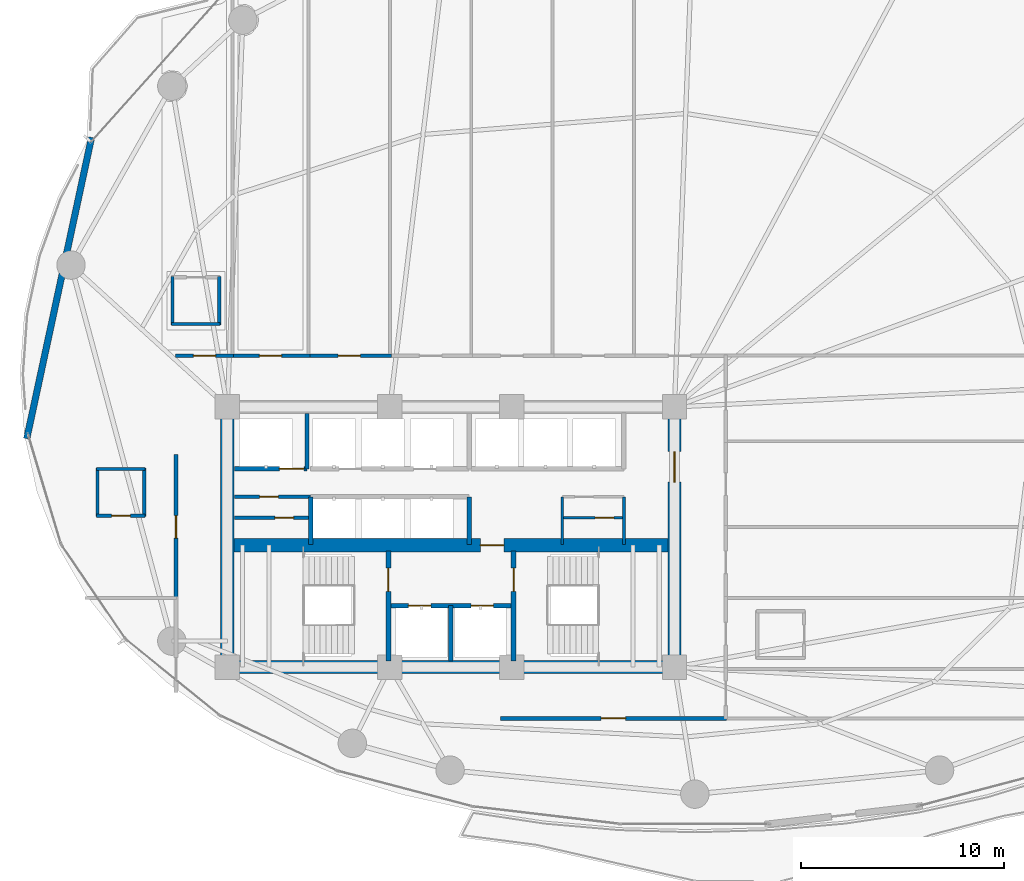
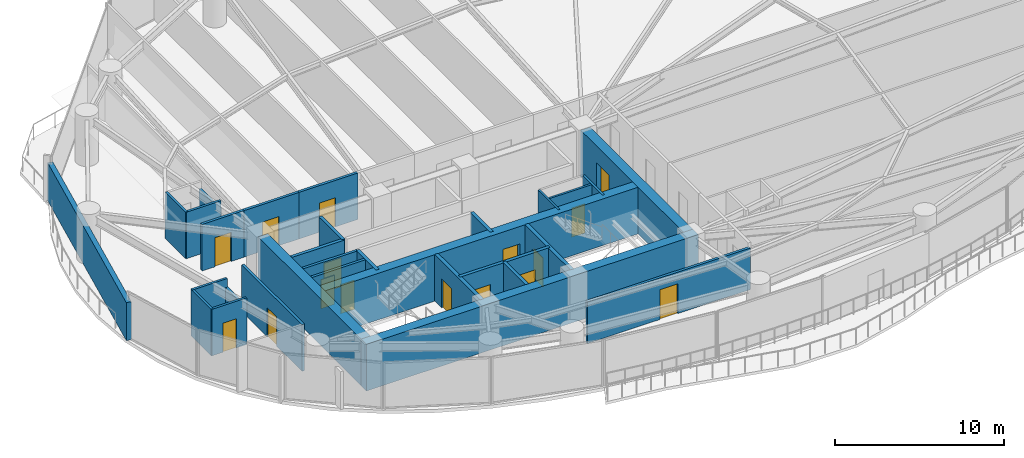
# One storey, part 26 of 32: 30 walls, 16 doors, 16 openings.
"""IFC4 building model written with IfcOpenShell, lengths in metres."""

from ifc_helpers import new_model, si_unit, direction, frame, frame_2d, origin, place, context, subcontext, project, spatial, rectangle, extrude, material, layer, layer_set, type_object, element, fill, save


model = new_model("IFC4")

# Units and contexts
model_context = context("Model", 3, precision=1e-05, world=origin(), true_north=direction((0.0, 1.0)))
body_context = subcontext(model_context, "Body", "Model", "MODEL_VIEW")
ifc_project = project(units=[si_unit("LENGTHUNIT", "METRE"), si_unit("AREAUNIT", "SQUARE_METRE"), si_unit("VOLUMEUNIT", "CUBIC_METRE"), si_unit("PLANEANGLEUNIT", "RADIAN"), si_unit("MASSUNIT", "GRAM", prefix="KILO")], contexts=[model_context])

# Site, building, storey
site_placement = place(None, origin())
site = spatial("IfcSite", under=ifc_project, at=site_placement, CompositionType="ELEMENT")
building_placement = place(site_placement, origin())
building = spatial("IfcBuilding", under=site, at=building_placement, Name="Kazevale Care Tower and Concert Hall", CompositionType="ELEMENT")
storey_placement = place(building_placement, frame((0.0, 0.0, 85.199951171875)))
storey = spatial("IfcBuildingStorey", under=building, at=storey_placement, Name="L22", CompositionType="ELEMENT", Elevation=85.199951171875)

# Walls
ifc_material_1 = material(Name="Acoustic Gypsum on Steel Stud", Category="steel")
ifc_layer_1 = layer(ifc_material_1, 0.139892578125)
ifc_layer_set_1 = layer_set([ifc_layer_1], Name="Acoustic Gypsum on Steel Stud")
wall_type_1 = type_object("IfcWallType", Name="Acoustic Care & Suite Partition 140", PredefinedType="PARTITIONING", material=ifc_layer_set_1)
for number, where, z_axis, x_axis, name in (
    (1, (38.47998046875, 29.6201171875, 0.0), (0.0, 0.0, 1.0), (0.0, 1.0, 0.0), "wall:L22:kc_ew"),
    (2, (41.52001953125, 29.6201171875, 0.0), (0.0, 0.0, 1.0), (0.0, 1.0, 0.0), "wall:L22:kc_ee"),
):
    element("IfcWall", number, at=place(storey_placement, frame(where, z_axis=z_axis, x_axis=x_axis)), inside=storey, type_object=wall_type_1, Name=name, PredefinedType="PARTITIONING", context=body_context, shape_type="SweptSolid", body=[
        extrude(rectangle(XDim=2.35986328125, YDim=0.139892578125, at=frame_2d((1.179931640625, 0.0))), origin(), (0.0, 0.0, 1.0), 3.360107421875),
    ])

# Wall, opening, door
wall_1_placement = place(storey_placement, frame((38.47998046875, 30.949951171875, 0.0), z_axis=(0.0, 0.0, 1.0), x_axis=(1.0, 0.0, 0.0)))
wall_1 = element("IfcWall", 3, at=wall_1_placement, inside=storey, type_object=wall_type_1, Name="wall:L22:kc_em", PredefinedType="PARTITIONING", context=body_context, shape_type="SweptSolid", body=[
    extrude(rectangle(XDim=3.0400390625, YDim=0.139892578125, at=frame_2d((1.52001953125, 0.0))), origin(), (0.0, 0.0, 1.0), 3.360107421875),
])
opening_1_placement = place(wall_1_placement, frame((1.616943359375, 0.0, 0.0)))
opening_1 = element("IfcOpeningElement", 4, at=opening_1_placement, cuts=wall_1, Name="Opening ID-900", PredefinedType="OPENING", context=body_context, shape_type="SweptSolid", body=[
    extrude(rectangle(XDim=0.919921875, YDim=2.10009765625, at=frame_2d((0.4599609375, 1.050048828125))), frame((0.0, 0.079833984375, 0.0), z_axis=(0.0, -1.0, 0.0), x_axis=(1.0, 0.0, 0.0)), (0.0, 0.0, 1.0), 0.159912109375),
])
ifc_material_2 = material(Name="Oak Timber Fire Leaf", Category="wood")
door_type_1 = type_object("IfcDoorType", Name="Bathroom & Service Door 920x2100", OperationType="NOTDEFINED", PredefinedType="DOOR", material=ifc_material_2)
door_1_placement = place(opening_1_placement, origin())
door_1 = element("IfcDoor", 5, at=door_1_placement, inside=storey, type_object=door_type_1, Name="door:L22:d_kceb", OperationType="SINGLE_SWING_RIGHT", OverallHeight=2.10009765625, OverallWidth=0.919921875, PredefinedType="DOOR", context=body_context, shape_type="SweptSolid", body=[
    extrude(rectangle(XDim=0.919921875, YDim=2.10009765625, at=frame_2d((0.4599609375, 1.050048828125))), frame((0.0, 0.02490234375, 0.0), z_axis=(0.0, -1.0, 0.0), x_axis=(1.0, 0.0, 0.0)), (0.0, 0.0, 1.0), 0.050048828125),
])
fill(opening_1, door_1)

# Walls
ifc_material_3 = material(Name="Concrete C70", Category="concrete")
ifc_layer_2 = layer(ifc_material_3, 0.64990234375)
ifc_layer_set_2 = layer_set([ifc_layer_2], Name="Concrete C70")
wall_type_2 = type_object("IfcWallType", Name="Core Shear Wall 650 C70", PredefinedType="SHEAR", material=ifc_layer_set_2)
wall_2_placement = place(storey_placement, frame((21.675048828125, 23.60009765625, 0.0), z_axis=(0.0, 0.0, 1.0), x_axis=(1.0, 0.0, 0.0)))
element("IfcWall", 6, at=wall_2_placement, inside=storey, type_object=wall_type_2, Name="wall:L22:core:S", PredefinedType="SHEAR", context=body_context, shape_type="SweptSolid", body=[
    extrude(rectangle(XDim=22.64990234375, YDim=0.64990234375, at=frame_2d((11.324951171875, 0.0))), origin(), (0.0, 0.0, 1.0), 3.360107421875),
])
wall_3_placement = place(storey_placement, frame((22.0, 23.925048828125, 0.0), z_axis=(0.0, 0.0, 1.0), x_axis=(0.0, 1.0, 0.0)))
element("IfcWall", 7, at=wall_3_placement, inside=storey, type_object=wall_type_2, Name="wall:L22:core:W", PredefinedType="SHEAR", context=body_context, shape_type="SweptSolid", body=[
    extrude(rectangle(XDim=12.14990234375, YDim=0.64990234375, at=frame_2d((6.074951171875, 0.0))), origin(), (0.0, 0.0, 1.0), 3.360107421875),
])

# Wall, opening, door
wall_4_placement = place(storey_placement, frame((44.0, 23.925048828125, 0.0), z_axis=(0.0, 0.0, 1.0), x_axis=(0.0, 1.0, 0.0)))
wall_4 = element("IfcWall", 8, at=wall_4_placement, inside=storey, type_object=wall_type_2, Name="wall:L22:core:E", PredefinedType="SHEAR", context=body_context, shape_type="SweptSolid", body=[
    extrude(rectangle(XDim=12.14990234375, YDim=0.64990234375, at=frame_2d((6.074951171875, 0.0))), origin(), (0.0, 0.0, 1.0), 3.360107421875),
])
opening_2_placement = place(wall_4_placement, frame((8.77490234375, 0.0, 0.0)))
opening_2 = element("IfcOpeningElement", 9, at=opening_2_placement, cuts=wall_4, Name="Opening FD-60D", PredefinedType="OPENING", context=body_context, shape_type="SweptSolid", body=[
    extrude(rectangle(XDim=1.5, YDim=2.14990234375, at=frame_2d((0.75, 1.074951171875))), frame((0.0, 0.3349609375, 0.0), z_axis=(0.0, -1.0, 0.0), x_axis=(1.0, 0.0, 0.0)), (0.0, 0.0, 1.0), 0.669921875),
])
door_type_2 = type_object("IfcDoorType", Name="Double Lobby & Auditorium Fire Door 1500x2150", OperationType="NOTDEFINED", PredefinedType="DOOR", material=ifc_material_2)
door_2_placement = place(opening_2_placement, origin())
door_2 = element("IfcDoor", 10, at=door_2_placement, inside=storey, type_object=door_type_2, Name="door:L22:core_east_out", OperationType="DOUBLE_DOOR_SINGLE_SWING", OverallHeight=2.14990234375, OverallWidth=1.5, PredefinedType="DOOR", context=body_context, shape_type="SweptSolid", body=[
    extrude(rectangle(XDim=1.5, YDim=2.14990234375, at=frame_2d((0.75, 1.074951171875))), frame((0.0, 0.02490234375, 0.0), z_axis=(0.0, -1.0, 0.0), x_axis=(1.0, 0.0, 0.0)), (0.0, 0.0, 1.0), 0.050048828125),
])
fill(opening_2, door_2)

wall_5_placement = place(storey_placement, frame((22.324951171875, 29.60009765625, 0.0), z_axis=(0.0, 0.0, 1.0), x_axis=(1.0, 0.0, 0.0)))
wall_5 = element("IfcWall", 11, at=wall_5_placement, inside=storey, type_object=wall_type_2, Name="wall:L22:core:M", PredefinedType="SHEAR", context=body_context, shape_type="SweptSolid", body=[
    extrude(rectangle(XDim=21.35009765625, YDim=0.64990234375, at=frame_2d((10.675048828125, 0.0))), origin(), (0.0, 0.0, 1.0), 3.360107421875),
])
opening_3_placement = place(wall_5_placement, frame((12.125, 0.0, 0.0)))
opening_3 = element("IfcOpeningElement", 12, at=opening_3_placement, cuts=wall_5, Name="Opening FD-90", PredefinedType="OPENING", context=body_context, shape_type="SweptSolid", body=[
    extrude(rectangle(XDim=1.14990234375, YDim=2.10009765625, at=frame_2d((0.574951171875, 1.050048828125))), frame((0.0, 0.3349609375, 0.0), z_axis=(0.0, -1.0, 0.0), x_axis=(1.0, 0.0, 0.0)), (0.0, 0.0, 1.0), 0.669921875),
])
ifc_material_4 = material(Name="Steel ASTM A572 Gr 50", Category="steel")
door_type_3 = type_object("IfcDoorType", Name="Pressurized Stair & Lobby Fire Door 1150x2100", OperationType="NOTDEFINED", PredefinedType="DOOR", material=ifc_material_4)
door_3_placement = place(opening_3_placement, origin())
door_3 = element("IfcDoor", 13, at=door_3_placement, inside=storey, type_object=door_type_3, Name="door:L22:ff_to_pax", OperationType="SINGLE_SWING_LEFT", OverallHeight=2.10009765625, OverallWidth=1.14990234375, PredefinedType="DOOR", context=body_context, shape_type="SweptSolid", body=[
    extrude(rectangle(XDim=1.14990234375, YDim=2.10009765625, at=frame_2d((0.574951171875, 1.050048828125))), frame((0.0, 0.02490234375, 0.0), z_axis=(0.0, -1.0, 0.0), x_axis=(1.0, 0.0, 0.0)), (0.0, 0.0, 1.0), 0.050048828125),
])
fill(opening_3, door_3)

# Wall, openings, doors
ifc_material_5 = material(Name="Concrete C40", Category="concrete")
ifc_layer_3 = layer(ifc_material_5, 0.219970703125)
ifc_layer_set_3 = layer_set([ifc_layer_3], Name="Concrete C40")
wall_type_3 = type_object("IfcWallType", Name="Elevator Hoistway Shaft Wall 220", PredefinedType="SOLIDWALL", material=ifc_layer_set_3)
wall_6_placement = place(storey_placement, frame((29.919921875, 26.6201171875, 0.0), z_axis=(0.0, 0.0, 1.0), x_axis=(1.0, 0.0, 0.0)))
wall_6 = element("IfcWall", 14, at=wall_6_placement, inside=storey, type_object=wall_type_3, Name="wall:L22:c_ffl_n", PredefinedType="SOLIDWALL", context=body_context, shape_type="SweptSolid", body=[
    extrude(rectangle(XDim=6.16015625, YDim=0.219970703125, at=frame_2d((3.080078125, 0.0))), origin(), (0.0, 0.0, 1.0), 3.360107421875),
])
opening_4_placement = place(wall_6_placement, frame((0.989990234375, 0.0, 0.0)))
opening_4 = element("IfcOpeningElement", 15, at=opening_4_placement, cuts=wall_6, Name="Opening LD-FF", PredefinedType="OPENING", context=body_context, shape_type="SweptSolid", body=[
    extrude(rectangle(XDim=1.10009765625, YDim=2.10009765625, at=frame_2d((0.550048828125, 1.050048828125))), frame((0.0, 0.119873046875, 0.0), z_axis=(0.0, -1.0, 0.0), x_axis=(1.0, 0.0, 0.0)), (0.0, 0.0, 1.0), 0.239990234375),
])
opening_5_placement = place(wall_6_placement, frame((4.070068359375, 0.0, 0.0)))
opening_5 = element("IfcOpeningElement", 16, at=opening_5_placement, cuts=wall_6, Name="Opening LD-FF", PredefinedType="OPENING", context=body_context, shape_type="SweptSolid", body=[
    extrude(rectangle(XDim=1.10009765625, YDim=2.10009765625, at=frame_2d((0.550048828125, 1.050048828125))), frame((0.0, 0.119873046875, 0.0), z_axis=(0.0, -1.0, 0.0), x_axis=(1.0, 0.0, 0.0)), (0.0, 0.0, 1.0), 0.239990234375),
])
ifc_material_6 = material(Name="Stainless Steel 316", Category="steel")
door_type_4 = type_object("IfcDoorType", Name="Emergency Lift Sliding Landing Door 1100x2100", OperationType="NOTDEFINED", PredefinedType="DOOR", material=ifc_material_6)
door_4_placement = place(opening_4_placement, origin())
door_4 = element("IfcDoor", 17, at=door_4_placement, inside=storey, type_object=door_type_4, Name="door:L22:ld_ffl1", OperationType="SLIDING_TO_LEFT", OverallHeight=2.10009765625, OverallWidth=1.10009765625, PredefinedType="DOOR", context=body_context, shape_type="SweptSolid", body=[
    extrude(rectangle(XDim=1.10009765625, YDim=2.10009765625, at=frame_2d((0.550048828125, 1.050048828125))), frame((0.0, 0.02490234375, 0.0), z_axis=(0.0, -1.0, 0.0), x_axis=(1.0, 0.0, 0.0)), (0.0, 0.0, 1.0), 0.050048828125),
])
fill(opening_4, door_4)
door_5_placement = place(opening_5_placement, origin())
door_5 = element("IfcDoor", 18, at=door_5_placement, inside=storey, type_object=door_type_4, Name="door:L22:ld_ffl2", OperationType="SLIDING_TO_RIGHT", OverallHeight=2.10009765625, OverallWidth=1.10009765625, PredefinedType="DOOR", context=body_context, shape_type="SweptSolid", body=[
    extrude(rectangle(XDim=1.10009765625, YDim=2.10009765625, at=frame_2d((0.550048828125, 1.050048828125))), frame((0.0, 0.02490234375, 0.0), z_axis=(0.0, -1.0, 0.0), x_axis=(1.0, 0.0, 0.0)), (0.0, 0.0, 1.0), 0.050048828125),
])
fill(opening_5, door_5)

# Walls
wall_7_placement = place(storey_placement, frame((33.0, 23.89990234375, 0.0), z_axis=(0.0, 0.0, 1.0), x_axis=(0.0, 1.0, 0.0)))
element("IfcWall", 19, at=wall_7_placement, inside=storey, type_object=wall_type_3, Name="wall:L22:c_ffl_m", PredefinedType="SOLIDWALL", context=body_context, shape_type="SweptSolid", body=[
    extrude(rectangle(XDim=2.72021484375, YDim=0.219970703125, at=frame_2d((1.360107421875, 0.0))), origin(), (0.0, 0.0, 1.0), 3.360107421875),
])
wall_8_placement = place(storey_placement, frame((25.919921875, 33.35009765625, 0.0), z_axis=(0.0, 0.0, 1.0), x_axis=(0.0, 1.0, 0.0)))
element("IfcWall", 20, at=wall_8_placement, inside=storey, type_object=wall_type_3, Name="wall:L22:c_svl_e", PredefinedType="SOLIDWALL", context=body_context, shape_type="SweptSolid", body=[
    extrude(rectangle(XDim=2.72998046875, YDim=0.219970703125, at=frame_2d((1.364990234375, 0.0))), origin(), (0.0, 0.0, 1.0), 3.360107421875),
])

# Wall, opening, door
wall_9_placement = place(storey_placement, frame((22.35009765625, 33.35009765625, 0.0), z_axis=(0.0, 0.0, 1.0), x_axis=(1.0, 0.0, 0.0)))
wall_9 = element("IfcWall", 21, at=wall_9_placement, inside=storey, type_object=wall_type_3, Name="wall:L22:c_svl_s", PredefinedType="SOLIDWALL", context=body_context, shape_type="SweptSolid", body=[
    extrude(rectangle(XDim=3.56982421875, YDim=0.219970703125, at=frame_2d((1.784912109375, 0.0))), origin(), (0.0, 0.0, 1.0), 3.360107421875),
])
opening_6_placement = place(wall_9_placement, frame((2.212890625, 0.0, 0.0)))
opening_6 = element("IfcOpeningElement", 22, at=opening_6_placement, cuts=wall_9, Name="Opening LD-SV", PredefinedType="OPENING", context=body_context, shape_type="SweptSolid", body=[
    extrude(rectangle(XDim=1.199951171875, YDim=2.10009765625, at=frame_2d((0.60009765625, 1.050048828125))), frame((0.0, 0.119873046875, 0.0), z_axis=(0.0, -1.0, 0.0), x_axis=(1.0, 0.0, 0.0)), (0.0, 0.0, 1.0), 0.239990234375),
])
door_type_5 = type_object("IfcDoorType", Name="Service Lift Sliding Landing Door 1200x2100", OperationType="NOTDEFINED", PredefinedType="DOOR", material=ifc_material_6)
door_6_placement = place(opening_6_placement, origin())
door_6 = element("IfcDoor", 23, at=door_6_placement, inside=storey, type_object=door_type_5, Name="door:L22:ld_svl1", OperationType="SLIDING_TO_LEFT", OverallHeight=2.10009765625, OverallWidth=1.199951171875, PredefinedType="DOOR", context=body_context, shape_type="SweptSolid", body=[
    extrude(rectangle(XDim=1.199951171875, YDim=2.10009765625, at=frame_2d((0.60009765625, 1.050048828125))), frame((0.0, 0.02490234375, 0.0), z_axis=(0.0, -1.0, 0.0), x_axis=(1.0, 0.0, 0.0)), (0.0, 0.0, 1.0), 0.050048828125),
])
fill(opening_6, door_6)

# Walls
for number, where, z_axis, x_axis, name in (
    (24, (26.10009765625, 29.6201171875, 0.0), (0.0, 0.0, 1.0), (0.0, 1.0, 0.0), "wall:L22:c_ph_w"),
    (25, (33.89990234375, 29.6201171875, 0.0), (0.0, 0.0, 1.0), (0.0, 1.0, 0.0), "wall:L22:c_ph_e"),
):
    element("IfcWall", number, at=place(storey_placement, frame(where, z_axis=z_axis, x_axis=x_axis)), inside=storey, type_object=wall_type_3, Name=name, PredefinedType="SOLIDWALL", context=body_context, shape_type="SweptSolid", body=[
        extrude(rectangle(XDim=2.35986328125, YDim=0.219970703125, at=frame_2d((1.179931640625, 0.0))), origin(), (0.0, 0.0, 1.0), 3.360107421875),
    ])

# Wall, opening, door
ifc_material_7 = material(Name="Concrete C40 and Acoustic Gypsum", Category="concrete")
ifc_layer_4 = layer(ifc_material_7, 0.179931640625)
ifc_layer_set_4 = layer_set([ifc_layer_4], Name="Concrete C40 and Acoustic Gypsum")
wall_type_4 = type_object("IfcWallType", Name="Fire-Rated Corridor & Party Wall 180", PredefinedType="PARTITIONING", material=ifc_layer_set_4)
wall_10_placement = place(storey_placement, frame((22.35009765625, 30.949951171875, 0.0), z_axis=(0.0, 0.0, 1.0), x_axis=(1.0, 0.0, 0.0)))
wall_10 = element("IfcWall", 26, at=wall_10_placement, inside=storey, type_object=wall_type_4, Name="wall:L22:kc_wm", PredefinedType="PARTITIONING", context=body_context, shape_type="SweptSolid", body=[
    extrude(rectangle(XDim=3.75, YDim=0.179931640625, at=frame_2d((1.875, 0.0))), origin(), (0.0, 0.0, 1.0), 3.360107421875),
])
opening_7_placement = place(wall_10_placement, frame((1.988037109375, 0.0, 0.0)))
opening_7 = element("IfcOpeningElement", 27, at=opening_7_placement, cuts=wall_10, Name="Opening ID-900", PredefinedType="OPENING", context=body_context, shape_type="SweptSolid", body=[
    extrude(rectangle(XDim=0.919921875, YDim=2.10009765625, at=frame_2d((0.4599609375, 1.050048828125))), frame((0.0, 0.099853515625, 0.0), z_axis=(0.0, -1.0, 0.0), x_axis=(1.0, 0.0, 0.0)), (0.0, 0.0, 1.0), 0.199951171875),
])
door_7_placement = place(opening_7_placement, origin())
door_7 = element("IfcDoor", 28, at=door_7_placement, inside=storey, type_object=door_type_1, Name="door:L22:d_kcwb", OperationType="SINGLE_SWING_RIGHT", OverallHeight=2.10009765625, OverallWidth=0.919921875, PredefinedType="DOOR", context=body_context, shape_type="SweptSolid", body=[
    extrude(rectangle(XDim=0.919921875, YDim=2.10009765625, at=frame_2d((0.4599609375, 1.050048828125))), frame((0.0, 0.02490234375, 0.0), z_axis=(0.0, -1.0, 0.0), x_axis=(1.0, 0.0, 0.0)), (0.0, 0.0, 1.0), 0.050048828125),
])
fill(opening_7, door_7)

wall_11_placement = place(storey_placement, frame((22.35009765625, 31.97998046875, 0.0), z_axis=(0.0, 0.0, 1.0), x_axis=(1.0, 0.0, 0.0)))
wall_11 = element("IfcWall", 29, at=wall_11_placement, inside=storey, type_object=wall_type_4, Name="wall:L22:kc_wn", PredefinedType="PARTITIONING", context=body_context, shape_type="SweptSolid", body=[
    extrude(rectangle(XDim=3.75, YDim=0.179931640625, at=frame_2d((1.875, 0.0))), origin(), (0.0, 0.0, 1.0), 3.360107421875),
])
opening_8_placement = place(wall_11_placement, frame((1.238037109375, 0.0, 0.0)))
opening_8 = element("IfcOpeningElement", 30, at=opening_8_placement, cuts=wall_11, Name="Opening ID-900", PredefinedType="OPENING", context=body_context, shape_type="SweptSolid", body=[
    extrude(rectangle(XDim=0.919921875, YDim=2.10009765625, at=frame_2d((0.4599609375, 1.050048828125))), frame((0.0, 0.099853515625, 0.0), z_axis=(0.0, -1.0, 0.0), x_axis=(1.0, 0.0, 0.0)), (0.0, 0.0, 1.0), 0.199951171875),
])
door_8_placement = place(opening_8_placement, origin())
door_8 = element("IfcDoor", 31, at=door_8_placement, inside=storey, type_object=door_type_1, Name="door:L22:d_kcwt", OperationType="SINGLE_SWING_LEFT", OverallHeight=2.10009765625, OverallWidth=0.919921875, PredefinedType="DOOR", context=body_context, shape_type="SweptSolid", body=[
    extrude(rectangle(XDim=0.919921875, YDim=2.10009765625, at=frame_2d((0.4599609375, 1.050048828125))), frame((0.0, 0.02490234375, 0.0), z_axis=(0.0, -1.0, 0.0), x_axis=(1.0, 0.0, 0.0)), (0.0, 0.0, 1.0), 0.050048828125),
])
fill(opening_8, door_8)

wall_12_placement = place(storey_placement, frame((19.445068359375, 38.925048828125, 0.0), z_axis=(0.0, 0.0, 1.0), x_axis=(1.0, 0.0, 0.0)))
wall_12 = element("IfcWall", 32, at=wall_12_placement, inside=storey, type_object=wall_type_4, Name="wall:L22:auto_001", PredefinedType="PARTITIONING", context=body_context, shape_type="SweptSolid", body=[
    extrude(rectangle(XDim=2.869873046875, YDim=0.179931640625, at=frame_2d((1.43505859375, 0.0))), origin(), (0.0, 0.0, 1.0), 3.360107421875),
])
opening_9_placement = place(wall_12_placement, frame((0.885009765625, 0.0, 0.0)))
opening_9 = element("IfcOpeningElement", 33, at=opening_9_placement, cuts=wall_12, Name="Opening ID-1100", PredefinedType="OPENING", context=body_context, shape_type="SweptSolid", body=[
    extrude(rectangle(XDim=1.10009765625, YDim=2.10009765625, at=frame_2d((0.550048828125, 1.050048828125))), frame((0.0, 0.099853515625, 0.0), z_axis=(0.0, -1.0, 0.0), x_axis=(1.0, 0.0, 0.0)), (0.0, 0.0, 1.0), 0.199951171875),
])
door_type_6 = type_object("IfcDoorType", Name="Care Bedroom Accessible Door 1100x2100", OperationType="NOTDEFINED", PredefinedType="DOOR", material=ifc_material_2)
door_9_placement = place(opening_9_placement, origin())
door_9 = element("IfcDoor", 34, at=door_9_placement, inside=storey, type_object=door_type_6, Name="door:L22:ad_001", OperationType="SINGLE_SWING_LEFT", OverallHeight=2.10009765625, OverallWidth=1.10009765625, PredefinedType="DOOR", context=body_context, shape_type="SweptSolid", body=[
    extrude(rectangle(XDim=1.10009765625, YDim=2.10009765625, at=frame_2d((0.550048828125, 1.050048828125))), frame((0.0, 0.02490234375, 0.0), z_axis=(0.0, -1.0, 0.0), x_axis=(1.0, 0.0, 0.0)), (0.0, 0.0, 1.0), 0.050048828125),
])
fill(opening_9, door_9)

wall_13_placement = place(storey_placement, frame((22.18505859375, 38.925048828125, 0.0), z_axis=(0.0, 0.0, 1.0), x_axis=(1.0, 0.0, 0.0)))
wall_13 = element("IfcWall", 35, at=wall_13_placement, inside=storey, type_object=wall_type_4, Name="wall:L22:auto_002", PredefinedType="PARTITIONING", context=body_context, shape_type="SweptSolid", body=[
    extrude(rectangle(XDim=3.8798828125, YDim=0.179931640625, at=frame_2d((1.93994140625, 0.0))), origin(), (0.0, 0.0, 1.0), 3.360107421875),
])
opening_10_placement = place(wall_13_placement, frame((1.389892578125, 0.0, 0.0)))
opening_10 = element("IfcOpeningElement", 36, at=opening_10_placement, cuts=wall_13, Name="Opening ID-1100", PredefinedType="OPENING", context=body_context, shape_type="SweptSolid", body=[
    extrude(rectangle(XDim=1.10009765625, YDim=2.10009765625, at=frame_2d((0.550048828125, 1.050048828125))), frame((0.0, 0.099853515625, 0.0), z_axis=(0.0, -1.0, 0.0), x_axis=(1.0, 0.0, 0.0)), (0.0, 0.0, 1.0), 0.199951171875),
])
door_10_placement = place(opening_10_placement, origin())
door_10 = element("IfcDoor", 37, at=door_10_placement, inside=storey, type_object=door_type_6, Name="door:L22:ad_002", OperationType="SINGLE_SWING_LEFT", OverallHeight=2.10009765625, OverallWidth=1.10009765625, PredefinedType="DOOR", context=body_context, shape_type="SweptSolid", body=[
    extrude(rectangle(XDim=1.10009765625, YDim=2.10009765625, at=frame_2d((0.550048828125, 1.050048828125))), frame((0.0, 0.02490234375, 0.0), z_axis=(0.0, -1.0, 0.0), x_axis=(1.0, 0.0, 0.0)), (0.0, 0.0, 1.0), 0.050048828125),
])
fill(opening_10, door_10)

wall_14_placement = place(storey_placement, frame((25.93505859375, 38.925048828125, 0.0), z_axis=(0.0, 0.0, 1.0), x_axis=(1.0, 0.0, 0.0)))
wall_14 = element("IfcWall", 38, at=wall_14_placement, inside=storey, type_object=wall_type_4, Name="wall:L22:auto_003", PredefinedType="PARTITIONING", context=body_context, shape_type="SweptSolid", body=[
    extrude(rectangle(XDim=4.1298828125, YDim=0.179931640625, at=frame_2d((2.06494140625, 0.0))), origin(), (0.0, 0.0, 1.0), 3.360107421875),
])
opening_11_placement = place(wall_14_placement, frame((1.514892578125, 0.0, 0.0)))
opening_11 = element("IfcOpeningElement", 39, at=opening_11_placement, cuts=wall_14, Name="Opening ID-1100", PredefinedType="OPENING", context=body_context, shape_type="SweptSolid", body=[
    extrude(rectangle(XDim=1.10009765625, YDim=2.10009765625, at=frame_2d((0.550048828125, 1.050048828125))), frame((0.0, 0.099853515625, 0.0), z_axis=(0.0, -1.0, 0.0), x_axis=(1.0, 0.0, 0.0)), (0.0, 0.0, 1.0), 0.199951171875),
])
door_11_placement = place(opening_11_placement, origin())
door_11 = element("IfcDoor", 40, at=door_11_placement, inside=storey, type_object=door_type_6, Name="door:L22:ad_003", OperationType="SINGLE_SWING_LEFT", OverallHeight=2.10009765625, OverallWidth=1.10009765625, PredefinedType="DOOR", context=body_context, shape_type="SweptSolid", body=[
    extrude(rectangle(XDim=1.10009765625, YDim=2.10009765625, at=frame_2d((0.550048828125, 1.050048828125))), frame((0.0, 0.02490234375, 0.0), z_axis=(0.0, -1.0, 0.0), x_axis=(1.0, 0.0, 0.0)), (0.0, 0.0, 1.0), 0.050048828125),
])
fill(opening_11, door_11)

wall_15_placement = place(storey_placement, frame((46.554931640625, 21.074951171875, 0.0), z_axis=(0.0, 0.0, 1.0), x_axis=(-1.0, 0.0, 0.0)))
wall_15 = element("IfcWall", 41, at=wall_15_placement, inside=storey, type_object=wall_type_4, Name="wall:L22:auto_013", PredefinedType="PARTITIONING", context=body_context, shape_type="SweptSolid", body=[
    extrude(rectangle(XDim=11.119873046875, YDim=0.179931640625, at=frame_2d((5.56005859375, 0.0))), origin(), (0.0, 0.0, 1.0), 2.99609375),
])
opening_12_placement = place(wall_15_placement, frame((4.9599609375, 0.0, 0.0)))
opening_12 = element("IfcOpeningElement", 42, at=opening_12_placement, cuts=wall_15, Name="Opening ID-1200", PredefinedType="OPENING", context=body_context, shape_type="SweptSolid", body=[
    extrude(rectangle(XDim=1.199951171875, YDim=2.14990234375, at=frame_2d((0.60009765625, 1.074951171875))), frame((0.0, 0.099853515625, 0.0), z_axis=(0.0, -1.0, 0.0), x_axis=(1.0, 0.0, 0.0)), (0.0, 0.0, 1.0), 0.199951171875),
])
door_type_7 = type_object("IfcDoorType", Name="Clinical & Therapy Door 1200x2150", OperationType="NOTDEFINED", PredefinedType="DOOR", material=ifc_material_2)
door_12_placement = place(opening_12_placement, origin())
door_12 = element("IfcDoor", 43, at=door_12_placement, inside=storey, type_object=door_type_7, Name="door:L22:ad_013", OperationType="SINGLE_SWING_LEFT", OverallHeight=2.14990234375, OverallWidth=1.199951171875, PredefinedType="DOOR", context=body_context, shape_type="SweptSolid", body=[
    extrude(rectangle(XDim=1.199951171875, YDim=2.14990234375, at=frame_2d((0.60009765625, 1.074951171875))), frame((0.0, 0.02490234375, 0.0), z_axis=(0.0, -1.0, 0.0), x_axis=(1.0, 0.0, 0.0)), (0.0, 0.0, 1.0), 0.050048828125),
])
fill(opening_12, door_12)

wall_16_placement = place(storey_placement, frame((19.47509765625, 26.93505859375, 0.0), z_axis=(0.0, 0.0, 1.0), x_axis=(0.0, 1.0, 0.0)))
wall_16 = element("IfcWall", 44, at=wall_16_placement, inside=storey, type_object=wall_type_4, Name="wall:L22:auto_015", PredefinedType="PARTITIONING", context=body_context, shape_type="SweptSolid", body=[
    extrude(rectangle(XDim=7.1298828125, YDim=0.179931640625, at=frame_2d((3.56494140625, 0.0))), origin(), (0.0, 0.0, 1.0), 3.360107421875),
])
opening_13_placement = place(wall_16_placement, frame((3.014892578125, 0.0, 0.0)))
opening_13 = element("IfcOpeningElement", 45, at=opening_13_placement, cuts=wall_16, Name="Opening ID-1100", PredefinedType="OPENING", context=body_context, shape_type="SweptSolid", body=[
    extrude(rectangle(XDim=1.10009765625, YDim=2.10009765625, at=frame_2d((0.550048828125, 1.050048828125))), frame((0.0, 0.099853515625, 0.0), z_axis=(0.0, -1.0, 0.0), x_axis=(1.0, 0.0, 0.0)), (0.0, 0.0, 1.0), 0.199951171875),
])
door_13_placement = place(opening_13_placement, origin())
door_13 = element("IfcDoor", 46, at=door_13_placement, inside=storey, type_object=door_type_6, Name="door:L22:ad_015", OperationType="SINGLE_SWING_LEFT", OverallHeight=2.10009765625, OverallWidth=1.10009765625, PredefinedType="DOOR", context=body_context, shape_type="SweptSolid", body=[
    extrude(rectangle(XDim=1.10009765625, YDim=2.10009765625, at=frame_2d((0.550048828125, 1.050048828125))), frame((0.0, 0.02490234375, 0.0), z_axis=(0.0, -1.0, 0.0), x_axis=(1.0, 0.0, 0.0)), (0.0, 0.0, 1.0), 0.050048828125),
])
fill(opening_13, door_13)

# Walls
ifc_layer_5 = layer(ifc_material_1, 0.159912109375)
ifc_layer_set_5 = layer_set([ifc_layer_5], Name="Acoustic Gypsum on Steel Stud")
wall_type_5 = type_object("IfcWallType", Name="Moisture-Resistant Bathroom Plumbing Wall 160", PredefinedType="PLUMBINGWALL", material=ifc_layer_set_5)
for number, where, z_axis, x_axis, name in (
    (47, (19.260009765625, 40.47509765625, 0.0), (0.0, 0.0, 1.0), (1.0, 0.0, 0.0), "wall:L22:nb2a_ens_ws"),
    (48, (19.300048828125, 40.43505859375, 0.0), (0.0, 0.0, 1.0), (0.0, 1.0, 0.0), "wall:L22:nb2a_ens_ww"),
):
    element("IfcWall", number, at=place(storey_placement, frame(where, z_axis=z_axis, x_axis=x_axis)), inside=storey, type_object=wall_type_5, Name=name, PredefinedType="PLUMBINGWALL", context=body_context, shape_type="SweptSolid", body=[
        extrude(rectangle(XDim=2.3798828125, YDim=0.159912109375, at=frame_2d((1.18994140625, 0.0))), origin(), (0.0, 0.0, 1.0), 3.360107421875),
    ])
wall_17_placement = place(storey_placement, frame((21.60009765625, 40.43505859375, 0.0), z_axis=(0.0, 0.0, 1.0), x_axis=(0.0, 1.0, 0.0)))
element("IfcWall", 49, at=wall_17_placement, inside=storey, type_object=wall_type_5, Name="wall:L22:nb2a_ens_we", PredefinedType="PLUMBINGWALL", context=body_context, shape_type="SweptSolid", body=[
    extrude(rectangle(XDim=2.3798828125, YDim=0.159912109375, at=frame_2d((1.18994140625, 0.0))), origin(), (0.0, 0.0, 1.0), 2.80615234375),
])

# Wall, opening, door
wall_18_placement = place(storey_placement, frame((15.572021484375, 31.050048828125, 0.0), z_axis=(0.0, 0.0, 1.0), x_axis=(1.0, 0.0, 0.0)))
wall_18 = element("IfcWall", 50, at=wall_18_placement, inside=storey, type_object=wall_type_5, Name="wall:L22:wb2_ens_ws", PredefinedType="PLUMBINGWALL", context=body_context, shape_type="SweptSolid", body=[
    extrude(rectangle(XDim=2.3798828125, YDim=0.159912109375, at=frame_2d((1.18994140625, 0.0))), origin(), (0.0, 0.0, 1.0), 3.360107421875),
])
opening_14_placement = place(wall_18_placement, frame((0.739990234375, 0.0, 0.0)))
opening_14 = element("IfcOpeningElement", 51, at=opening_14_placement, cuts=wall_18, Name="Opening ID-900", PredefinedType="OPENING", context=body_context, shape_type="SweptSolid", body=[
    extrude(rectangle(XDim=0.919921875, YDim=2.10009765625, at=frame_2d((0.4599609375, 1.050048828125))), frame((0.0, 0.08984375, 0.0), z_axis=(0.0, -1.0, 0.0), x_axis=(1.0, 0.0, 0.0)), (0.0, 0.0, 1.0), 0.179931640625),
])
door_14_placement = place(opening_14_placement, origin())
door_14 = element("IfcDoor", 52, at=door_14_placement, inside=storey, type_object=door_type_1, Name="door:L22:wb2_ens_d", OperationType="SINGLE_SWING_RIGHT", OverallHeight=2.10009765625, OverallWidth=0.919921875, PredefinedType="DOOR", context=body_context, shape_type="SweptSolid", body=[
    extrude(rectangle(XDim=0.919921875, YDim=2.10009765625, at=frame_2d((0.4599609375, 1.050048828125))), frame((0.0, 0.02490234375, 0.0), z_axis=(0.0, -1.0, 0.0), x_axis=(1.0, 0.0, 0.0)), (0.0, 0.0, 1.0), 0.050048828125),
])
fill(opening_14, door_14)

# Walls
for number, where, z_axis, x_axis, name in (
    (53, (15.572021484375, 33.35009765625, 0.0), (0.0, 0.0, 1.0), (1.0, 0.0, 0.0), "wall:L22:wb2_ens_wn"),
    (54, (15.612060546875, 31.010009765625, 0.0), (0.0, 0.0, 1.0), (0.0, 1.0, 0.0), "wall:L22:wb2_ens_ww"),
):
    element("IfcWall", number, at=place(storey_placement, frame(where, z_axis=z_axis, x_axis=x_axis)), inside=storey, type_object=wall_type_5, Name=name, PredefinedType="PLUMBINGWALL", context=body_context, shape_type="SweptSolid", body=[
        extrude(rectangle(XDim=2.3798828125, YDim=0.159912109375, at=frame_2d((1.18994140625, 0.0))), origin(), (0.0, 0.0, 1.0), 3.360107421875),
    ])
wall_19_placement = place(storey_placement, frame((17.912109375, 31.010009765625, 0.0), z_axis=(0.0, 0.0, 1.0), x_axis=(0.0, 1.0, 0.0)))
element("IfcWall", 55, at=wall_19_placement, inside=storey, type_object=wall_type_5, Name="wall:L22:wb2_ens_we", PredefinedType="PLUMBINGWALL", context=body_context, shape_type="SweptSolid", body=[
    extrude(rectangle(XDim=2.3798828125, YDim=0.159912109375, at=frame_2d((1.18994140625, 0.0))), origin(), (0.0, 0.0, 1.0), 2.738037109375),
])

# Wall, opening, door
ifc_layer_6 = layer(ifc_material_5, 0.25)
ifc_layer_set_6 = layer_set([ifc_layer_6], Name="Concrete C40")
wall_type_6 = type_object("IfcWallType", Name="Pressurized Stair Shaft Wall 250", PredefinedType="SOLIDWALL", material=ifc_layer_set_6)
wall_20_placement = place(storey_placement, frame((29.919921875, 23.89990234375, 0.0), z_axis=(0.0, 0.0, 1.0), x_axis=(0.0, 1.0, 0.0)))
wall_20 = element("IfcWall", 56, at=wall_20_placement, inside=storey, type_object=wall_type_6, Name="wall:L22:c_st1_e", PredefinedType="SOLIDWALL", context=body_context, shape_type="SweptSolid", body=[
    extrude(rectangle(XDim=5.400146484375, YDim=0.25, at=frame_2d((2.7001953125, 0.0))), origin(), (0.0, 0.0, 1.0), 3.360107421875),
])
opening_15_placement = place(wall_20_placement, frame((3.4208984375, 0.0, 0.0)))
opening_15 = element("IfcOpeningElement", 57, at=opening_15_placement, cuts=wall_20, Name="Opening FD-90", PredefinedType="OPENING", context=body_context, shape_type="SweptSolid", body=[
    extrude(rectangle(XDim=1.14990234375, YDim=2.10009765625, at=frame_2d((0.574951171875, 1.050048828125))), frame((0.0, 0.135009765625, 0.0), z_axis=(0.0, -1.0, 0.0), x_axis=(1.0, 0.0, 0.0)), (0.0, 0.0, 1.0), 0.27001953125),
])
door_15_placement = place(opening_15_placement, origin())
door_15 = element("IfcDoor", 58, at=door_15_placement, inside=storey, type_object=door_type_3, Name="door:L22:st1", OperationType="SINGLE_SWING_RIGHT", OverallHeight=2.10009765625, OverallWidth=1.14990234375, PredefinedType="DOOR", context=body_context, shape_type="SweptSolid", body=[
    extrude(rectangle(XDim=1.14990234375, YDim=2.10009765625, at=frame_2d((0.574951171875, 1.050048828125))), frame((0.0, 0.02490234375, 0.0), z_axis=(0.0, -1.0, 0.0), x_axis=(1.0, 0.0, 0.0)), (0.0, 0.0, 1.0), 0.050048828125),
])
fill(opening_15, door_15)

wall_21_placement = place(storey_placement, frame((36.080078125, 23.89990234375, 0.0), z_axis=(0.0, 0.0, 1.0), x_axis=(0.0, 1.0, 0.0)))
wall_21 = element("IfcWall", 59, at=wall_21_placement, inside=storey, type_object=wall_type_6, Name="wall:L22:c_st2_w", PredefinedType="SOLIDWALL", context=body_context, shape_type="SweptSolid", body=[
    extrude(rectangle(XDim=5.400146484375, YDim=0.25, at=frame_2d((2.7001953125, 0.0))), origin(), (0.0, 0.0, 1.0), 3.360107421875),
])
opening_16_placement = place(wall_21_placement, frame((3.4208984375, 0.0, 0.0)))
opening_16 = element("IfcOpeningElement", 60, at=opening_16_placement, cuts=wall_21, Name="Opening FD-90", PredefinedType="OPENING", context=body_context, shape_type="SweptSolid", body=[
    extrude(rectangle(XDim=1.14990234375, YDim=2.10009765625, at=frame_2d((0.574951171875, 1.050048828125))), frame((0.0, 0.135009765625, 0.0), z_axis=(0.0, -1.0, 0.0), x_axis=(1.0, 0.0, 0.0)), (0.0, 0.0, 1.0), 0.27001953125),
])
door_16_placement = place(opening_16_placement, origin())
door_16 = element("IfcDoor", 61, at=door_16_placement, inside=storey, type_object=door_type_3, Name="door:L22:st2", OperationType="SINGLE_SWING_LEFT", OverallHeight=2.10009765625, OverallWidth=1.14990234375, PredefinedType="DOOR", context=body_context, shape_type="SweptSolid", body=[
    extrude(rectangle(XDim=1.14990234375, YDim=2.10009765625, at=frame_2d((0.574951171875, 1.050048828125))), frame((0.0, 0.02490234375, 0.0), z_axis=(0.0, -1.0, 0.0), x_axis=(1.0, 0.0, 0.0)), (0.0, 0.0, 1.0), 0.050048828125),
])
fill(opening_16, door_16)

# Wall
ifc_material_8 = material(Name="Concrete C40 with Honed Limestone Cladding", Category="masonry")
ifc_layer_7 = layer(ifc_material_8, 0.320068359375)
ifc_layer_set_7 = layer_set([ifc_layer_7], Name="Concrete C40 with Honed Limestone Cladding")
wall_type_7 = type_object("IfcWallType", Name="Tower Honed Limestone Spandrel Wall 320", PredefinedType="STANDARD", material=ifc_layer_set_7)
wall_22_placement = place(storey_placement, frame((12.132080078125, 34.8369140625, 0.0), z_axis=(0.0, 0.0, 1.0), x_axis=(0.210310821848, 0.977634572943, 0.0)))
element("IfcWall", 62, at=wall_22_placement, inside=storey, type_object=wall_type_7, Name="wall:cw:L22:f13", PredefinedType="STANDARD", context=body_context, shape_type="SweptSolid", body=[
    extrude(rectangle(XDim=15.1630859375, YDim=0.320068359375, at=frame_2d((7.58154296875, 0.0))), origin(), (0.0, 0.0, 1.0), 2.738037109375),
])

save(model, "model.ifc")
